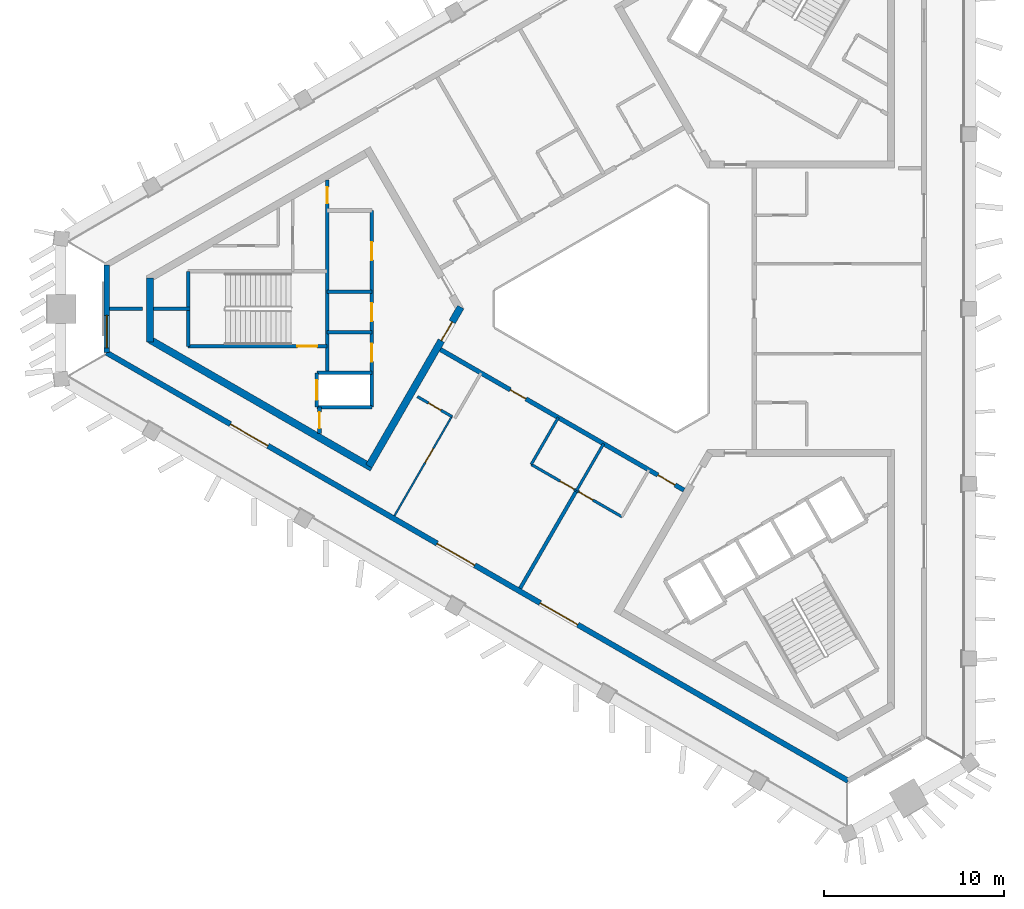
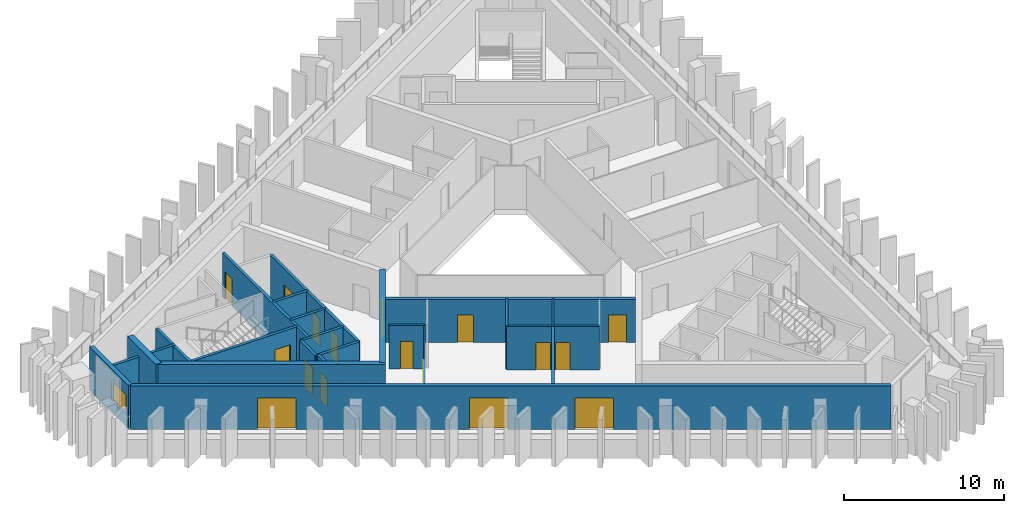
# One storey, part 2 of 9: 24 walls, 17 doors, 1 window, 18 openings.
"""IFC4 building model written with IfcOpenShell, lengths in metres."""

from ifc_helpers import new_model, si_unit, direction, frame, frame_2d, origin, place, context, subcontext, project, spatial, rectangle, extrude, material, layer, layer_set, type_object, element, fill, save


model = new_model("IFC4")

# Units and contexts
model_context = context("Model", 3, precision=1e-05, world=origin(), true_north=direction((0.0, 1.0)))
body_context = subcontext(model_context, "Body", "Model", "MODEL_VIEW")
ifc_project = project(units=[si_unit("LENGTHUNIT", "METRE"), si_unit("AREAUNIT", "SQUARE_METRE"), si_unit("VOLUMEUNIT", "CUBIC_METRE"), si_unit("PLANEANGLEUNIT", "RADIAN"), si_unit("MASSUNIT", "GRAM", prefix="KILO")], contexts=[model_context])

# Site, building, storey
site_placement = place(None, origin())
site = spatial("IfcSite", under=ifc_project, at=site_placement, CompositionType="ELEMENT")
building_placement = place(site_placement, origin())
building = spatial("IfcBuilding", under=site, at=building_placement, Name="Jabali Bay Hotel Tower and Convention Centre", CompositionType="ELEMENT")
storey_placement = place(building_placement, frame((0.0, 0.0, 277.5)))
storey = spatial("IfcBuildingStorey", under=building, at=storey_placement, Name="L68", CompositionType="ELEMENT", Elevation=277.5)

# Wall
ifc_material_1 = material(Name="Concrete C40", Category="concrete")
ifc_layer_1 = layer(ifc_material_1, 0.199951171875)
ifc_layer_set_1 = layer_set([ifc_layer_1], Name="Concrete C40")
wall_type_1 = type_object("IfcWallType", Name="Core partition wall 200", PredefinedType="PARTITIONING", material=ifc_layer_set_1)
wall_1_placement = place(storey_placement, frame((50.820068359375, 80.0, 0.0), z_axis=(0.0, 0.0, 1.0), x_axis=(-1.0, 0.0, 0.0)))
element("IfcWall", 1, at=wall_1_placement, inside=storey, type_object=wall_type_1, Name="Core wall 0.4 L68", PredefinedType="PARTITIONING", context=body_context, shape_type="SweptSolid", body=[
    extrude(rectangle(XDim=2.023193359375, YDim=0.199951171875, at=frame_2d((1.01171875, 0.0))), origin(), (0.0, 0.0, 1.0), 3.300048828125),
])

# Wall, opening, door
wall_2_placement = place(storey_placement, frame((58.0, 74.550048828125, 0.0), z_axis=(0.0, 0.0, 1.0), x_axis=(0.0, -1.0, 0.0)))
wall_2 = element("IfcWall", 2, at=wall_2_placement, inside=storey, type_object=wall_type_1, Name="Core wall 0.11 L68", PredefinedType="PARTITIONING", context=body_context, shape_type="SweptSolid", body=[
    extrude(rectangle(XDim=1.455078125, YDim=0.199951171875, at=frame_2d((0.7275390625, 0.0))), origin(), (0.0, 0.0, 1.0), 3.300048828125),
])
opening_1_placement = place(wall_2_placement, frame((0.277587890625, 0.0, 0.0)))
opening_1 = element("IfcOpeningElement", 3, at=opening_1_placement, cuts=wall_2, Name="Opening D1497", PredefinedType="OPENING", context=body_context, shape_type="SweptSolid", body=[
    extrude(rectangle(XDim=0.89990234375, YDim=2.10009765625, at=frame_2d((0.449951171875, 1.050048828125))), frame((0.0, 0.1103515625, 0.0), z_axis=(0.0, -1.0, 0.0), x_axis=(1.0, 0.0, 0.0)), (0.0, 0.0, 1.0), 0.220947265625),
])
ifc_material_2 = material(Name="Fire-rated steel door", Category="steel")
door_type_1 = type_object("IfcDoorType", Name="Vestibule fire door 900 x 2100", OperationType="NOTDEFINED", PredefinedType="NOTDEFINED", material=ifc_material_2)
door_1_placement = place(opening_1_placement, origin())
door_1 = element("IfcDoor", 4, at=door_1_placement, inside=storey, type_object=door_type_1, Name="Vestibule fire door D1497", OperationType="SINGLE_SWING_LEFT", OverallHeight=2.10009765625, OverallWidth=0.89990234375, PredefinedType="NOTDEFINED", context=body_context, shape_type="SweptSolid", body=[
    extrude(rectangle(XDim=0.89990234375, YDim=2.10009765625, at=frame_2d((0.449951171875, 1.050048828125))), frame((0.0, 0.02490234375, 0.0), z_axis=(0.0, -1.0, 0.0), x_axis=(1.0, 0.0, 0.0)), (0.0, 0.0, 1.0), 0.050048828125),
])
fill(opening_1, door_1)

# Walls
ifc_layer_2 = layer(ifc_material_1, 0.199951171875)
ifc_layer_set_2 = layer_set([ifc_layer_2], Name="Concrete C40")
wall_type_2 = type_object("IfcWallType", Name="Core stair wall 200", PredefinedType="SOLIDWALL", material=ifc_layer_set_2)
for number, where, z_axis, x_axis, name in (
    (5, (60.89990234375, 80.949951171875, 0.0), (0.0, 0.0, 1.0), (-1.0, 0.0, 0.0), "Core wall 0.3 L68"),
    (6, (60.89990234375, 78.699951171875, 0.0), (0.0, 0.0, 1.0), (-1.0, 0.0, 0.0), "Core wall 0.5 L68"),
):
    element("IfcWall", number, at=place(storey_placement, frame(where, z_axis=z_axis, x_axis=x_axis)), inside=storey, type_object=wall_type_2, Name=name, PredefinedType="SOLIDWALL", context=body_context, shape_type="SweptSolid", body=[
        extrude(rectangle(XDim=2.47998046875, YDim=0.199951171875, at=frame_2d((1.239990234375, 0.0))), origin(), (0.0, 0.0, 1.0), 3.300048828125),
    ])

# Wall, opening, door
wall_3_placement = place(storey_placement, frame((58.419921875, 77.925048828125, 0.0), z_axis=(0.0, 0.0, 1.0), x_axis=(-1.0, 0.0, 0.0)))
wall_3 = element("IfcWall", 7, at=wall_3_placement, inside=storey, type_object=wall_type_2, Name="Core wall 0.6 L68", PredefinedType="SOLIDWALL", context=body_context, shape_type="SweptSolid", body=[
    extrude(rectangle(XDim=7.699951171875, YDim=0.199951171875, at=frame_2d((3.85009765625, 0.0))), origin(), (0.0, 0.0, 1.0), 3.300048828125),
])
opening_2_placement = place(wall_3_placement, frame((0.550048828125, 0.0, 0.0)))
opening_2 = element("IfcOpeningElement", 8, at=opening_2_placement, cuts=wall_3, Name="Opening D1499", PredefinedType="OPENING", context=body_context, shape_type="SweptSolid", body=[
    extrude(rectangle(XDim=1.10009765625, YDim=2.10009765625, at=frame_2d((0.550048828125, 1.050048828125))), frame((0.0, 0.1103515625, 0.0), z_axis=(0.0, -1.0, 0.0), x_axis=(1.0, 0.0, 0.0)), (0.0, 0.0, 1.0), 0.220947265625),
])
door_type_2 = type_object("IfcDoorType", Name="Stair fire door 1100 x 2100", OperationType="NOTDEFINED", PredefinedType="NOTDEFINED", material=ifc_material_2)
door_2_placement = place(opening_2_placement, origin())
door_2 = element("IfcDoor", 9, at=door_2_placement, inside=storey, type_object=door_type_2, Name="Stair fire door D1499", OperationType="SINGLE_SWING_RIGHT", OverallHeight=2.10009765625, OverallWidth=1.10009765625, PredefinedType="NOTDEFINED", context=body_context, shape_type="SweptSolid", body=[
    extrude(rectangle(XDim=1.10009765625, YDim=2.10009765625, at=frame_2d((0.550048828125, 1.050048828125))), frame((0.0, 0.02490234375, 0.0), z_axis=(0.0, -1.0, 0.0), x_axis=(1.0, 0.0, 0.0)), (0.0, 0.0, 1.0), 0.050048828125),
])
fill(opening_2, door_2)

# Walls
for number, where, z_axis, x_axis, name in (
    (10, (60.89990234375, 76.449951171875, 0.0), (0.0, 0.0, 1.0), (-1.0, 0.0, 0.0), "Core wall 0.7 L68"),
    (11, (60.89990234375, 74.550048828125, 0.0), (0.0, 0.0, 1.0), (-1.0, 0.0, 0.0), "Core wall 0.8 L68"),
):
    element("IfcWall", number, at=place(storey_placement, frame(where, z_axis=z_axis, x_axis=x_axis)), inside=storey, type_object=wall_type_2, Name=name, PredefinedType="SOLIDWALL", context=body_context, shape_type="SweptSolid", body=[
        extrude(rectangle(XDim=3.0498046875, YDim=0.199951171875, at=frame_2d((1.52490234375, 0.0))), origin(), (0.0, 0.0, 1.0), 3.300048828125),
    ])

# Wall, openings, doors
wall_4_placement = place(storey_placement, frame((60.89990234375, 85.449951171875, 0.0), z_axis=(0.0, 0.0, 1.0), x_axis=(0.0, -1.0, 0.0)))
wall_4 = element("IfcWall", 12, at=wall_4_placement, inside=storey, type_object=wall_type_2, Name="Core wall 0.9 L68", PredefinedType="SOLIDWALL", context=body_context, shape_type="SweptSolid", body=[
    extrude(rectangle(XDim=10.89990234375, YDim=0.199951171875, at=frame_2d((5.449951171875, 0.0))), origin(), (0.0, 0.0, 1.0), 3.300048828125),
])
opening_3_placement = place(wall_4_placement, frame((1.75, 0.0, 0.0)))
opening_3 = element("IfcOpeningElement", 13, at=opening_3_placement, cuts=wall_4, Name="Opening D1493", PredefinedType="OPENING", context=body_context, shape_type="SweptSolid", body=[
    extrude(rectangle(XDim=1.0, YDim=2.10009765625, at=frame_2d((0.5, 1.050048828125))), frame((0.0, 0.1103515625, 0.0), z_axis=(0.0, -1.0, 0.0), x_axis=(1.0, 0.0, 0.0)), (0.0, 0.0, 1.0), 0.220947265625),
])
opening_4_placement = place(wall_4_placement, frame((5.125, 0.0, 0.0)))
opening_4 = element("IfcOpeningElement", 14, at=opening_4_placement, cuts=wall_4, Name="Opening D1494", PredefinedType="OPENING", context=body_context, shape_type="SweptSolid", body=[
    extrude(rectangle(XDim=1.0, YDim=2.10009765625, at=frame_2d((0.5, 1.050048828125))), frame((0.0, 0.1103515625, 0.0), z_axis=(0.0, -1.0, 0.0), x_axis=(1.0, 0.0, 0.0)), (0.0, 0.0, 1.0), 0.220947265625),
])
opening_5_placement = place(wall_4_placement, frame((7.375, 0.0, 0.0)))
opening_5 = element("IfcOpeningElement", 15, at=opening_5_placement, cuts=wall_4, Name="Opening D1495", PredefinedType="OPENING", context=body_context, shape_type="SweptSolid", body=[
    extrude(rectangle(XDim=1.0, YDim=2.10009765625, at=frame_2d((0.5, 1.050048828125))), frame((0.0, 0.1103515625, 0.0), z_axis=(0.0, -1.0, 0.0), x_axis=(1.0, 0.0, 0.0)), (0.0, 0.0, 1.0), 0.220947265625),
])
door_type_3 = type_object("IfcDoorType", Name="Core room door 1000 x 2100", OperationType="NOTDEFINED", PredefinedType="NOTDEFINED", material=ifc_material_2)
door_3_placement = place(opening_3_placement, origin())
door_3 = element("IfcDoor", 16, at=door_3_placement, inside=storey, type_object=door_type_3, Name="Core room door D1493", OperationType="SINGLE_SWING_RIGHT", OverallHeight=2.10009765625, OverallWidth=1.0, PredefinedType="NOTDEFINED", context=body_context, shape_type="SweptSolid", body=[
    extrude(rectangle(XDim=1.0, YDim=2.10009765625, at=frame_2d((0.5, 1.050048828125))), frame((0.0, 0.02490234375, 0.0), z_axis=(0.0, -1.0, 0.0), x_axis=(1.0, 0.0, 0.0)), (0.0, 0.0, 1.0), 0.050048828125),
])
fill(opening_3, door_3)
door_4_placement = place(opening_4_placement, origin())
door_4 = element("IfcDoor", 17, at=door_4_placement, inside=storey, type_object=door_type_3, Name="Core room door D1494", OperationType="SINGLE_SWING_RIGHT", OverallHeight=2.10009765625, OverallWidth=1.0, PredefinedType="NOTDEFINED", context=body_context, shape_type="SweptSolid", body=[
    extrude(rectangle(XDim=1.0, YDim=2.10009765625, at=frame_2d((0.5, 1.050048828125))), frame((0.0, 0.02490234375, 0.0), z_axis=(0.0, -1.0, 0.0), x_axis=(1.0, 0.0, 0.0)), (0.0, 0.0, 1.0), 0.050048828125),
])
fill(opening_4, door_4)
door_5_placement = place(opening_5_placement, origin())
door_5 = element("IfcDoor", 18, at=door_5_placement, inside=storey, type_object=door_type_3, Name="Core room door D1495", OperationType="SINGLE_SWING_RIGHT", OverallHeight=2.10009765625, OverallWidth=1.0, PredefinedType="NOTDEFINED", context=body_context, shape_type="SweptSolid", body=[
    extrude(rectangle(XDim=1.0, YDim=2.10009765625, at=frame_2d((0.5, 1.050048828125))), frame((0.0, 0.02490234375, 0.0), z_axis=(0.0, -1.0, 0.0), x_axis=(1.0, 0.0, 0.0)), (0.0, 0.0, 1.0), 0.050048828125),
])
fill(opening_5, door_5)

# Wall, opening, door
wall_5_placement = place(storey_placement, frame((58.419921875, 87.147705078125, 0.0), z_axis=(0.0, 0.0, 1.0), x_axis=(0.0, -1.0, 0.0)))
wall_5 = element("IfcWall", 19, at=wall_5_placement, inside=storey, type_object=wall_type_2, Name="Core wall 0.10 L68", PredefinedType="SOLIDWALL", context=body_context, shape_type="SweptSolid", body=[
    extrude(rectangle(XDim=10.69775390625, YDim=0.199951171875, at=frame_2d((5.348876953125, 0.0))), origin(), (0.0, 0.0, 1.0), 3.300048828125),
])
opening_6_placement = place(wall_5_placement, frame((0.398681640625, 0.0, 0.0)))
opening_6 = element("IfcOpeningElement", 20, at=opening_6_placement, cuts=wall_5, Name="Opening D1498", PredefinedType="OPENING", context=body_context, shape_type="SweptSolid", body=[
    extrude(rectangle(XDim=0.89990234375, YDim=2.10009765625, at=frame_2d((0.449951171875, 1.050048828125))), frame((0.0, 0.1103515625, 0.0), z_axis=(0.0, -1.0, 0.0), x_axis=(1.0, 0.0, 0.0)), (0.0, 0.0, 1.0), 0.220947265625),
])
door_6_placement = place(opening_6_placement, origin())
door_6 = element("IfcDoor", 21, at=door_6_placement, inside=storey, type_object=door_type_1, Name="Vestibule fire door D1498", OperationType="SINGLE_SWING_LEFT", OverallHeight=2.10009765625, OverallWidth=0.89990234375, PredefinedType="NOTDEFINED", context=body_context, shape_type="SweptSolid", body=[
    extrude(rectangle(XDim=0.89990234375, YDim=2.10009765625, at=frame_2d((0.449951171875, 1.050048828125))), frame((0.0, 0.02490234375, 0.0), z_axis=(0.0, -1.0, 0.0), x_axis=(1.0, 0.0, 0.0)), (0.0, 0.0, 1.0), 0.050048828125),
])
fill(opening_6, door_6)

wall_6_placement = place(storey_placement, frame((57.85009765625, 76.449951171875, 0.0), z_axis=(0.0, 0.0, 1.0), x_axis=(0.0, -1.0, 0.0)))
wall_6 = element("IfcWall", 22, at=wall_6_placement, inside=storey, type_object=wall_type_2, Name="Core wall 0.12 L68", PredefinedType="SOLIDWALL", context=body_context, shape_type="SweptSolid", body=[
    extrude(rectangle(XDim=1.89990234375, YDim=0.199951171875, at=frame_2d((0.949951171875, 0.0))), origin(), (0.0, 0.0, 1.0), 3.300048828125),
])
opening_7_placement = place(wall_6_placement, frame((0.39990234375, 0.0, 0.0)))
opening_7 = element("IfcOpeningElement", 23, at=opening_7_placement, cuts=wall_6, Name="Opening LD5-L68", PredefinedType="OPENING", context=body_context, shape_type="SweptSolid", body=[
    extrude(rectangle(XDim=1.10009765625, YDim=2.10009765625, at=frame_2d((0.550048828125, 1.050048828125))), frame((0.0, 0.1103515625, 0.0), z_axis=(0.0, -1.0, 0.0), x_axis=(1.0, 0.0, 0.0)), (0.0, 0.0, 1.0), 0.220947265625),
])
ifc_material_3 = material(Name="Stainless steel landing door", Category="steel")
door_type_4 = type_object("IfcDoorType", Name="Landing door 1100 x 2100", OperationType="NOTDEFINED", PredefinedType="NOTDEFINED", material=ifc_material_3)
door_7_placement = place(opening_7_placement, origin())
door_7 = element("IfcDoor", 24, at=door_7_placement, inside=storey, type_object=door_type_4, Name="Landing doors LD5-L68", OperationType="SLIDING_TO_RIGHT", OverallHeight=2.10009765625, OverallWidth=1.10009765625, PredefinedType="NOTDEFINED", context=body_context, shape_type="SweptSolid", body=[
    extrude(rectangle(XDim=1.10009765625, YDim=2.10009765625, at=frame_2d((0.550048828125, 1.050048828125))), frame((0.0, 0.02490234375, 0.0), z_axis=(0.0, -1.0, 0.0), x_axis=(1.0, 0.0, 0.0)), (0.0, 0.0, 1.0), 0.050048828125),
])
fill(opening_7, door_7)

# Walls
wall_7_placement = place(storey_placement, frame((50.719970703125, 82.074951171875, 0.0), z_axis=(0.0, 0.0, 1.0), x_axis=(0.0, -1.0, 0.0)))
element("IfcWall", 25, at=wall_7_placement, inside=storey, type_object=wall_type_2, Name="Core wall 0.15 L68", PredefinedType="SOLIDWALL", context=body_context, shape_type="SweptSolid", body=[
    extrude(rectangle(XDim=4.14990234375, YDim=0.199951171875, at=frame_2d((2.074951171875, 0.0))), origin(), (0.0, 0.0, 1.0), 3.300048828125),
])
ifc_material_4 = material(Name="Concrete C60", Category="concrete")
ifc_layer_3 = layer(ifc_material_4, 0.39990234375)
ifc_layer_set_3 = layer_set([ifc_layer_3], Name="Concrete C60")
wall_type_3 = type_object("IfcWallType", Name="Core wall 400", PredefinedType="SHEAR", material=ifc_layer_set_3)
wall_8_placement = place(storey_placement, frame((48.596923828125, 81.707275390625, 0.0), z_axis=(0.0, 0.0, 1.0), x_axis=(0.0, -1.0, 0.0)))
element("IfcWall", 26, at=wall_8_placement, inside=storey, type_object=wall_type_3, Name="Core wall 1.3 L68", PredefinedType="SHEAR", context=body_context, shape_type="SweptSolid", body=[
    extrude(rectangle(XDim=3.530029296875, YDim=0.39990234375, at=frame_2d((1.76513671875, 0.0))), origin(), (0.0, 0.0, 1.0), 3.699951171875),
])
wall_9_placement = place(storey_placement, frame((48.596923828125, 78.292724609375, 0.0), z_axis=(0.0, 0.0, 1.0), x_axis=(0.866026024469, -0.499998924941, 0.0)))
element("IfcWall", 27, at=wall_9_placement, inside=storey, type_object=wall_type_3, Name="Core wall 1.4 L68", PredefinedType="SHEAR", context=body_context, shape_type="SweptSolid", body=[
    extrude(rectangle(XDim=14.2177734375, YDim=0.39990234375, at=frame_2d((7.10888671875, 0.0))), origin(), (0.0, 0.0, 1.0), 3.699951171875),
])

# Wall, opening, door
wall_10_placement = place(storey_placement, frame((60.73681640625, 71.283935546875, 0.0), z_axis=(0.0, 0.0, 1.0), x_axis=(0.50000547566, 0.866022242388, 0.0)))
wall_10 = element("IfcWall", 28, at=wall_10_placement, inside=storey, type_object=wall_type_3, Name="Core wall 1.5 L68", PredefinedType="SHEAR", context=body_context, shape_type="SweptSolid", body=[
    extrude(rectangle(XDim=10.18017578125, YDim=0.39990234375, at=frame_2d((5.090087890625, 0.0))), origin(), (0.0, 0.0, 1.0), 3.699951171875),
])
opening_8_placement = place(wall_10_placement, frame((8.030029296875, 0.0, 0.0)))
opening_8 = element("IfcOpeningElement", 29, at=opening_8_placement, cuts=wall_10, Name="Opening D1492", PredefinedType="OPENING", context=body_context, shape_type="SweptSolid", body=[
    extrude(rectangle(XDim=1.199951171875, YDim=2.10009765625, at=frame_2d((0.60009765625, 1.050048828125))), frame((0.0, 0.21044921875, 0.0), z_axis=(0.0, -1.0, 0.0), x_axis=(1.0, 0.0, 0.0)), (0.0, 0.0, 1.0), 0.4208984375),
])
door_type_5 = type_object("IfcDoorType", Name="Corridor end fire door 1200 x 2100", OperationType="NOTDEFINED", PredefinedType="NOTDEFINED", material=ifc_material_2)
door_8_placement = place(opening_8_placement, origin())
door_8 = element("IfcDoor", 30, at=door_8_placement, inside=storey, type_object=door_type_5, Name="Corridor end fire door D1492", OperationType="SINGLE_SWING_LEFT", OverallHeight=2.10009765625, OverallWidth=1.199951171875, PredefinedType="NOTDEFINED", context=body_context, shape_type="SweptSolid", body=[
    extrude(rectangle(XDim=1.199951171875, YDim=2.10009765625, at=frame_2d((0.60009765625, 1.050048828125))), frame((0.0, 0.02490234375, 0.0), z_axis=(0.0, -1.0, 0.0), x_axis=(1.0, 0.0, 0.0)), (0.0, 0.0, 1.0), 0.050048828125),
])
fill(opening_8, door_8)

# Wall, openings, doors
ifc_layer_4 = layer(ifc_material_4, 0.25)
ifc_layer_set_4 = layer_set([ifc_layer_4], Name="Concrete C60")
wall_type_4 = type_object("IfcWallType", Name="Corridor wall 250", PredefinedType="SHEAR", material=ifc_layer_set_4)
wall_11_placement = place(storey_placement, frame((64.699951171875, 77.748291015625, 0.0), z_axis=(0.0, 0.0, 1.0), x_axis=(0.866026492143, -0.499998114903, 0.0)))
wall_11 = element("IfcWall", 31, at=wall_11_placement, inside=storey, type_object=wall_type_4, Name="Corridor wall 3 L68", PredefinedType="SHEAR", context=body_context, shape_type="SweptSolid", body=[
    extrude(rectangle(XDim=15.58837890625, YDim=0.25, at=frame_2d((7.794189453125, 0.0))), origin(), (0.0, 0.0, 1.0), 3.300048828125),
])
opening_9_placement = place(wall_11_placement, frame((4.47314453125, 0.0, 0.0)))
opening_9 = element("IfcOpeningElement", 32, at=opening_9_placement, cuts=wall_11, Name="Opening 6815", PredefinedType="OPENING", context=body_context, shape_type="SweptSolid", body=[
    extrude(rectangle(XDim=1.0, YDim=2.10009765625, at=frame_2d((0.5, 1.050048828125))), frame((0.0, 0.135498046875, 0.0), z_axis=(0.0, -1.0, 0.0), x_axis=(1.0, 0.0, 0.0)), (0.0, 0.0, 1.0), 0.27099609375),
])
opening_10_placement = place(wall_11_placement, frame((13.91650390625, 0.0, 0.0)))
opening_10 = element("IfcOpeningElement", 33, at=opening_10_placement, cuts=wall_11, Name="Opening 6817", PredefinedType="OPENING", context=body_context, shape_type="SweptSolid", body=[
    extrude(rectangle(XDim=1.10009765625, YDim=2.10009765625, at=frame_2d((0.550048828125, 1.050048828125))), frame((0.0, 0.135498046875, 0.0), z_axis=(0.0, -1.0, 0.0), x_axis=(1.0, 0.0, 0.0)), (0.0, 0.0, 1.0), 0.27099609375),
])
ifc_material_5 = material(Name="Timber", Category="wood")
door_type_6 = type_object("IfcDoorType", Name="Accessible guest room door 1100 x 2100", OperationType="NOTDEFINED", PredefinedType="NOTDEFINED", material=ifc_material_5)
door_9_placement = place(opening_10_placement, origin())
door_9 = element("IfcDoor", 34, at=door_9_placement, inside=storey, type_object=door_type_6, Name="Door 6817", OperationType="SINGLE_SWING_RIGHT", OverallHeight=2.10009765625, OverallWidth=1.10009765625, PredefinedType="NOTDEFINED", context=body_context, shape_type="SweptSolid", body=[
    extrude(rectangle(XDim=1.10009765625, YDim=2.10009765625, at=frame_2d((0.550048828125, 1.050048828125))), frame((0.0, 0.02490234375, 0.0), z_axis=(0.0, -1.0, 0.0), x_axis=(1.0, 0.0, 0.0)), (0.0, 0.0, 1.0), 0.050048828125),
])
fill(opening_10, door_9)
door_type_7 = type_object("IfcDoorType", Name="Guest room door 1000 x 2100", OperationType="NOTDEFINED", PredefinedType="NOTDEFINED", material=ifc_material_5)
door_10_placement = place(opening_9_placement, origin())
door_10 = element("IfcDoor", 35, at=door_10_placement, inside=storey, type_object=door_type_7, Name="Door 6815", OperationType="SINGLE_SWING_LEFT", OverallHeight=2.10009765625, OverallWidth=1.0, PredefinedType="NOTDEFINED", context=body_context, shape_type="SweptSolid", body=[
    extrude(rectangle(XDim=1.0, YDim=2.10009765625, at=frame_2d((0.5, 1.050048828125))), frame((0.0, 0.02490234375, 0.0), z_axis=(0.0, -1.0, 0.0), x_axis=(1.0, 0.0, 0.0)), (0.0, 0.0, 1.0), 0.050048828125),
])
fill(opening_9, door_10)

# Wall, opening, window
ifc_layer_5 = layer(ifc_material_1, 0.300048828125)
ifc_layer_set_5 = layer_set([ifc_layer_5], Name="Concrete C40")
wall_type_5 = type_object("IfcWallType", Name="External wall 300", PredefinedType="SOLIDWALL", material=ifc_layer_set_5)
wall_12_placement = place(storey_placement, frame((46.19775390625, 77.57275390625, 0.0), z_axis=(0.0, 0.0, 1.0), x_axis=(0.0, 1.0, 0.0)))
wall_12 = element("IfcWall", 36, at=wall_12_placement, inside=storey, type_object=wall_type_5, Name="External wall west chamfer L68", PredefinedType="SOLIDWALL", context=body_context, shape_type="SweptSolid", body=[
    extrude(rectangle(XDim=4.8544921875, YDim=0.300048828125, at=frame_2d((2.42724609375, 0.0))), origin(), (0.0, 0.0, 1.0), 3.300048828125),
])
opening_11_placement = place(wall_12_placement, frame((0.270263671875, 0.0, 0.89990234375)))
opening_11 = element("IfcOpeningElement", 37, at=opening_11_placement, cuts=wall_12, Name="Opening W1", PredefinedType="OPENING", context=body_context, shape_type="SweptSolid", body=[
    extrude(rectangle(XDim=1.800048828125, YDim=1.5, at=frame_2d((0.89990234375, 0.75))), frame((0.0, 0.16064453125, 0.0), z_axis=(0.0, -1.0, 0.0), x_axis=(1.0, 0.0, 0.0)), (0.0, 0.0, 1.0), 0.321044921875),
])
ifc_material_6 = material(Name="Glass", Category="glass")
window_type = type_object("IfcWindowType", Name="Window 1800 x 1500", PartitioningType="SINGLE_PANEL", PredefinedType="WINDOW", material=ifc_material_6)
window_placement = place(opening_11_placement, origin())
window = element("IfcWindow", 38, at=window_placement, inside=storey, type_object=window_type, Name="Window 6805", OverallHeight=1.5, OverallWidth=1.800048828125, PartitioningType="SINGLE_PANEL", PredefinedType="WINDOW", context=body_context, shape_type="SweptSolid", body=[
    extrude(rectangle(XDim=1.800048828125, YDim=1.5, at=frame_2d((0.89990234375, 0.75))), frame((0.0, 0.030029296875, 0.0), z_axis=(0.0, -1.0, 0.0), x_axis=(1.0, 0.0, 0.0)), (0.0, 0.0, 1.0), 0.06005859375),
])
fill(opening_11, window)

# Wall, openings, doors
wall_13_placement = place(storey_placement, frame((87.299072265625, 53.8427734375, 0.0), z_axis=(0.0, 0.0, 1.0), x_axis=(-0.866024279277, 0.500001947699, 0.0)))
wall_13 = element("IfcWall", 39, at=wall_13_placement, inside=storey, type_object=wall_type_5, Name="External wall south-west face L68", PredefinedType="SOLIDWALL", context=body_context, shape_type="SweptSolid", body=[
    extrude(rectangle(XDim=47.459716796875, YDim=0.300048828125, at=frame_2d((23.72998046875, 0.0))), origin(), (0.0, 0.0, 1.0), 3.300048828125),
])
opening_12_placement = place(wall_13_placement, frame((17.3076171875, 0.0, 0.0)))
opening_12 = element("IfcOpeningElement", 40, at=opening_12_placement, cuts=wall_13, Name="Opening SD1", PredefinedType="OPENING", context=body_context, shape_type="SweptSolid", body=[
    extrude(rectangle(XDim=2.39990234375, YDim=2.39990234375, at=frame_2d((1.199951171875, 1.199951171875))), frame((0.0, 0.16064453125, 0.0), z_axis=(0.0, -1.0, 0.0), x_axis=(1.0, 0.0, 0.0)), (0.0, 0.0, 1.0), 0.321044921875),
])
opening_13_placement = place(wall_13_placement, frame((37.134521484375, 0.0, 0.0)))
opening_13 = element("IfcOpeningElement", 41, at=opening_13_placement, cuts=wall_13, Name="Opening SD1", PredefinedType="OPENING", context=body_context, shape_type="SweptSolid", body=[
    extrude(rectangle(XDim=2.39990234375, YDim=2.39990234375, at=frame_2d((1.199951171875, 1.199951171875))), frame((0.0, 0.16064453125, 0.0), z_axis=(0.0, -1.0, 0.0), x_axis=(1.0, 0.0, 0.0)), (0.0, 0.0, 1.0), 0.321044921875),
])
opening_14_placement = place(wall_13_placement, frame((23.90087890625, 0.0, 0.0)))
opening_14 = element("IfcOpeningElement", 42, at=opening_14_placement, cuts=wall_13, Name="Opening SD1", PredefinedType="OPENING", context=body_context, shape_type="SweptSolid", body=[
    extrude(rectangle(XDim=2.39990234375, YDim=2.39990234375, at=frame_2d((1.199951171875, 1.199951171875))), frame((0.0, 0.16064453125, 0.0), z_axis=(0.0, -1.0, 0.0), x_axis=(1.0, 0.0, 0.0)), (0.0, 0.0, 1.0), 0.321044921875),
])
door_type_8 = type_object("IfcDoorType", Name="Loggia sliding door 2400 x 2400", OperationType="NOTDEFINED", PredefinedType="NOTDEFINED", material=ifc_material_6)
door_11_placement = place(opening_12_placement, origin())
door_11 = element("IfcDoor", 43, at=door_11_placement, inside=storey, type_object=door_type_8, Name="Loggia sliding door 6806", OperationType="SLIDING_TO_LEFT", OverallHeight=2.39990234375, OverallWidth=2.39990234375, PredefinedType="NOTDEFINED", context=body_context, shape_type="SweptSolid", body=[
    extrude(rectangle(XDim=2.39990234375, YDim=2.39990234375, at=frame_2d((1.199951171875, 1.199951171875))), frame((0.0, 0.02490234375, 0.0), z_axis=(0.0, -1.0, 0.0), x_axis=(1.0, 0.0, 0.0)), (0.0, 0.0, 1.0), 0.050048828125),
])
fill(opening_12, door_11)
door_12_placement = place(opening_13_placement, origin())
door_12 = element("IfcDoor", 44, at=door_12_placement, inside=storey, type_object=door_type_8, Name="Loggia sliding door 6805", OperationType="SLIDING_TO_RIGHT", OverallHeight=2.39990234375, OverallWidth=2.39990234375, PredefinedType="NOTDEFINED", context=body_context, shape_type="SweptSolid", body=[
    extrude(rectangle(XDim=2.39990234375, YDim=2.39990234375, at=frame_2d((1.199951171875, 1.199951171875))), frame((0.0, 0.02490234375, 0.0), z_axis=(0.0, -1.0, 0.0), x_axis=(1.0, 0.0, 0.0)), (0.0, 0.0, 1.0), 0.050048828125),
])
fill(opening_13, door_12)
door_13_placement = place(opening_14_placement, origin())
door_13 = element("IfcDoor", 45, at=door_13_placement, inside=storey, type_object=door_type_8, Name="Loggia sliding door 6805", OperationType="SLIDING_TO_LEFT", OverallHeight=2.39990234375, OverallWidth=2.39990234375, PredefinedType="NOTDEFINED", context=body_context, shape_type="SweptSolid", body=[
    extrude(rectangle(XDim=2.39990234375, YDim=2.39990234375, at=frame_2d((1.199951171875, 1.199951171875))), frame((0.0, 0.02490234375, 0.0), z_axis=(0.0, -1.0, 0.0), x_axis=(1.0, 0.0, 0.0)), (0.0, 0.0, 1.0), 0.050048828125),
])
fill(opening_14, door_13)

# Wall, opening, door
ifc_material_7 = material(Name="Plasterboard on steel stud", Category="steel")
ifc_layer_6 = layer(ifc_material_7, 0.10009765625)
ifc_layer_set_6 = layer_set([ifc_layer_6], Name="Plasterboard on steel stud")
wall_type_6 = type_object("IfcWallType", Name="Partition 100 unit", PredefinedType="PARTITIONING", material=ifc_layer_set_6)
wall_14_placement = place(storey_placement, frame((62.15380859375, 68.53369140625, 0.0), z_axis=(0.0, 0.0, 1.0), x_axis=(0.499987773676, 0.866032462541, 0.0)))
wall_14 = element("IfcWall", 46, at=wall_14_placement, inside=storey, type_object=wall_type_6, Name="Partition P02 L68 019", PredefinedType="PARTITIONING", context=body_context, shape_type="SweptSolid", body=[
    extrude(rectangle(XDim=6.372314453125, YDim=0.10009765625, at=frame_2d((3.18603515625, 0.0))), origin(), (0.0, 0.0, 1.0), 3.300048828125),
])
opening_15_placement = place(wall_14_placement, frame((3.403076171875, 0.0, 0.0)))
opening_15 = element("IfcOpeningElement", 47, at=opening_15_placement, cuts=wall_14, Name="Opening 6814", PredefinedType="OPENING", context=body_context, shape_type="SweptSolid", body=[
    extrude(rectangle(XDim=0.89990234375, YDim=2.10009765625, at=frame_2d((0.449951171875, 1.050048828125))), frame((0.0, 0.060546875, 0.0), z_axis=(0.0, -1.0, 0.0), x_axis=(1.0, 0.0, 0.0)), (0.0, 0.0, 1.0), 0.12109375),
])
door_type_9 = type_object("IfcDoorType", Name="Internal door 900 x 2100", OperationType="NOTDEFINED", PredefinedType="NOTDEFINED", material=ifc_material_5)
door_14_placement = place(opening_15_placement, origin())
door_14 = element("IfcDoor", 48, at=door_14_placement, inside=storey, type_object=door_type_9, Name="Door 6814", OperationType="SINGLE_SWING_LEFT", OverallHeight=2.10009765625, OverallWidth=0.89990234375, PredefinedType="NOTDEFINED", context=body_context, shape_type="SweptSolid", body=[
    extrude(rectangle(XDim=0.89990234375, YDim=2.10009765625, at=frame_2d((0.449951171875, 1.050048828125))), frame((0.0, 0.02490234375, 0.0), z_axis=(0.0, -1.0, 0.0), x_axis=(1.0, 0.0, 0.0)), (0.0, 0.0, 1.0), 0.050048828125),
])
fill(opening_15, door_14)

ifc_layer_7 = layer(ifc_material_7, 0.14990234375)
ifc_layer_set_7 = layer_set([ifc_layer_7], Name="Plasterboard on steel stud")
wall_type_7 = type_object("IfcWallType", Name="Partition 150 wet", PredefinedType="PARTITIONING", material=ifc_layer_set_7)
wall_15_placement = place(storey_placement, frame((65.3466796875, 74.0263671875, 0.0), z_axis=(0.0, 0.0, 1.0), x_axis=(-0.866042797968, 0.49996987118, 0.0)))
wall_15 = element("IfcWall", 49, at=wall_15_placement, inside=storey, type_object=wall_type_7, Name="Partition P03 L68 020", PredefinedType="PARTITIONING", context=body_context, shape_type="SweptSolid", body=[
    extrude(rectangle(XDim=2.220947265625, YDim=0.14990234375, at=frame_2d((1.1103515625, 0.0))), origin(), (0.0, 0.0, 1.0), 3.300048828125),
])
opening_16_placement = place(wall_15_placement, frame((0.7109375, 0.0, 0.0)))
opening_16 = element("IfcOpeningElement", 50, at=opening_16_placement, cuts=wall_15, Name="Opening 6812", PredefinedType="OPENING", context=body_context, shape_type="SweptSolid", body=[
    extrude(rectangle(XDim=0.800048828125, YDim=2.10009765625, at=frame_2d((0.39990234375, 1.050048828125))), frame((0.0, 0.08544921875, 0.0), z_axis=(0.0, -1.0, 0.0), x_axis=(1.0, 0.0, 0.0)), (0.0, 0.0, 1.0), 0.1708984375),
])
door_type_10 = type_object("IfcDoorType", Name="En-suite door 800 x 2100", OperationType="NOTDEFINED", PredefinedType="NOTDEFINED", material=ifc_material_5)
door_15_placement = place(opening_16_placement, origin())
door_15 = element("IfcDoor", 51, at=door_15_placement, inside=storey, type_object=door_type_10, Name="Door 6812", OperationType="SINGLE_SWING_LEFT", OverallHeight=2.10009765625, OverallWidth=0.800048828125, PredefinedType="NOTDEFINED", context=body_context, shape_type="SweptSolid", body=[
    extrude(rectangle(XDim=0.800048828125, YDim=2.10009765625, at=frame_2d((0.39990234375, 1.050048828125))), frame((0.0, 0.02490234375, 0.0), z_axis=(0.0, -1.0, 0.0), x_axis=(1.0, 0.0, 0.0)), (0.0, 0.0, 1.0), 0.050048828125),
])
fill(opening_16, door_15)

# Walls
wall_16_placement = place(storey_placement, frame((73.7451171875, 72.526123046875, 0.0), z_axis=(0.0, 0.0, 1.0), x_axis=(-0.50002537861, -0.866010750942, 0.0)))
element("IfcWall", 52, at=wall_16_placement, inside=storey, type_object=wall_type_7, Name="Partition P03 L68 022", PredefinedType="PARTITIONING", context=body_context, shape_type="SweptSolid", body=[
    extrude(rectangle(XDim=2.999755859375, YDim=0.14990234375, at=frame_2d((1.5, 0.0))), origin(), (0.0, 0.0, 1.0), 3.300048828125),
])
wall_17_placement = place(storey_placement, frame((69.733642578125, 71.378173828125, 0.0), z_axis=(0.0, 0.0, 1.0), x_axis=(0.499990139034, 0.866031096941, 0.0)))
element("IfcWall", 53, at=wall_17_placement, inside=storey, type_object=wall_type_7, Name="Partition P03 L68 023", PredefinedType="PARTITIONING", context=body_context, shape_type="SweptSolid", body=[
    extrude(rectangle(XDim=3.0, YDim=0.14990234375, at=frame_2d((1.5, 0.0))), origin(), (0.0, 0.0, 1.0), 3.300048828125),
])

# Wall, openings, doors
wall_18_placement = place(storey_placement, frame((74.756591796875, 68.47802734375, 0.0), z_axis=(0.0, 0.0, 1.0), x_axis=(-0.86601454848, 0.500018801468, 0.0)))
wall_18 = element("IfcWall", 54, at=wall_18_placement, inside=storey, type_object=wall_type_7, Name="Partition P03 L68 026", PredefinedType="PARTITIONING", context=body_context, shape_type="SweptSolid", body=[
    extrude(rectangle(XDim=5.800048828125, YDim=0.14990234375, at=frame_2d((2.89990234375, 0.0))), origin(), (0.0, 0.0, 1.0), 3.300048828125),
])
opening_17_placement = place(wall_18_placement, frame((3.050048828125, 0.0, 0.0)))
opening_17 = element("IfcOpeningElement", 55, at=opening_17_placement, cuts=wall_18, Name="Opening 6813", PredefinedType="OPENING", context=body_context, shape_type="SweptSolid", body=[
    extrude(rectangle(XDim=0.89990234375, YDim=2.10009765625, at=frame_2d((0.449951171875, 1.050048828125))), frame((0.0, 0.08544921875, 0.0), z_axis=(0.0, -1.0, 0.0), x_axis=(1.0, 0.0, 0.0)), (0.0, 0.0, 1.0), 0.1708984375),
])
opening_18_placement = place(wall_18_placement, frame((1.85009765625, 0.0, 0.0)))
opening_18 = element("IfcOpeningElement", 56, at=opening_18_placement, cuts=wall_18, Name="Opening 6816", PredefinedType="OPENING", context=body_context, shape_type="SweptSolid", body=[
    extrude(rectangle(XDim=0.89990234375, YDim=2.10009765625, at=frame_2d((0.449951171875, 1.050048828125))), frame((0.0, 0.08544921875, 0.0), z_axis=(0.0, -1.0, 0.0), x_axis=(1.0, 0.0, 0.0)), (0.0, 0.0, 1.0), 0.1708984375),
])
door_type_11 = type_object("IfcDoorType", Name="Accessible en-suite door 900 x 2100", OperationType="NOTDEFINED", PredefinedType="NOTDEFINED", material=ifc_material_5)
door_16_placement = place(opening_18_placement, origin())
door_16 = element("IfcDoor", 57, at=door_16_placement, inside=storey, type_object=door_type_11, Name="Door 6816", OperationType="SINGLE_SWING_RIGHT", OverallHeight=2.10009765625, OverallWidth=0.89990234375, PredefinedType="NOTDEFINED", context=body_context, shape_type="SweptSolid", body=[
    extrude(rectangle(XDim=0.89990234375, YDim=2.10009765625, at=frame_2d((0.449951171875, 1.050048828125))), frame((0.0, 0.02490234375, 0.0), z_axis=(0.0, -1.0, 0.0), x_axis=(1.0, 0.0, 0.0)), (0.0, 0.0, 1.0), 0.050048828125),
])
fill(opening_18, door_16)
door_17_placement = place(opening_17_placement, origin())
door_17 = element("IfcDoor", 58, at=door_17_placement, inside=storey, type_object=door_type_9, Name="Door 6813", OperationType="SINGLE_SWING_LEFT", OverallHeight=2.10009765625, OverallWidth=0.89990234375, PredefinedType="NOTDEFINED", context=body_context, shape_type="SweptSolid", body=[
    extrude(rectangle(XDim=0.89990234375, YDim=2.10009765625, at=frame_2d((0.449951171875, 1.050048828125))), frame((0.0, 0.02490234375, 0.0), z_axis=(0.0, -1.0, 0.0), x_axis=(1.0, 0.0, 0.0)), (0.0, 0.0, 1.0), 0.050048828125),
])
fill(opening_17, door_17)

# Walls
ifc_layer_8 = layer(ifc_material_7, 0.199951171875)
ifc_layer_set_8 = layer_set([ifc_layer_8], Name="Plasterboard on steel stud")
wall_type_8 = type_object("IfcWallType", Name="Partition 200 party", PredefinedType="PARTITIONING", material=ifc_layer_set_8)
wall_19_placement = place(storey_placement, frame((46.36767578125, 80.0, 0.0), z_axis=(0.0, 0.0, 1.0), x_axis=(1.0, 0.0, 0.0)))
element("IfcWall", 59, at=wall_19_placement, inside=storey, type_object=wall_type_8, Name="Partition P01 L68 018", PredefinedType="PARTITIONING", context=body_context, shape_type="SweptSolid", body=[
    extrude(rectangle(XDim=1.809326171875, YDim=0.199951171875, at=frame_2d((0.90478515625, 0.0))), origin(), (0.0, 0.0, 1.0), 3.300048828125),
])
wall_20_placement = place(storey_placement, frame((69.117919921875, 64.51171875, 0.0), z_axis=(0.0, 0.0, 1.0), x_axis=(0.499997275202, 0.866026976941, 0.0)))
element("IfcWall", 60, at=wall_20_placement, inside=storey, type_object=wall_type_8, Name="Partition P01 L68 024", PredefinedType="PARTITIONING", context=body_context, shape_type="SweptSolid", body=[
    extrude(rectangle(XDim=6.25439453125, YDim=0.199951171875, at=frame_2d((3.127197265625, 0.0))), origin(), (0.0, 0.0, 1.0), 3.300048828125),
])

save(model, "model.ifc")
